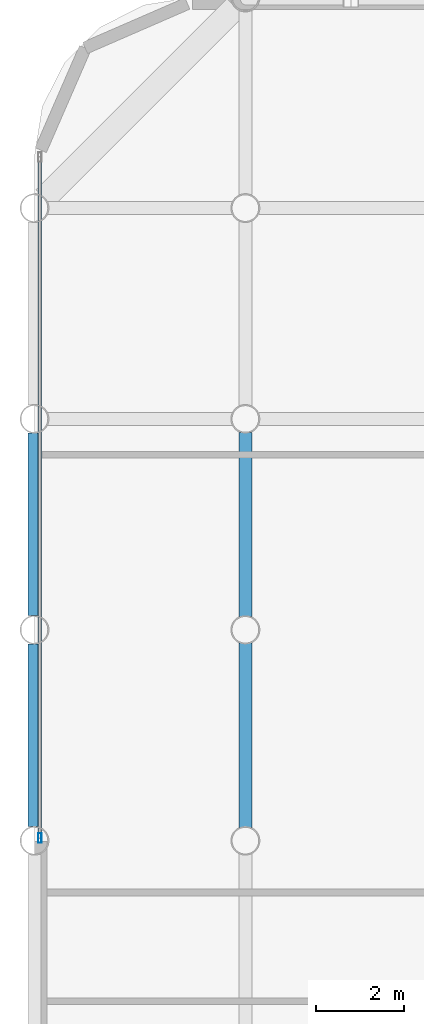
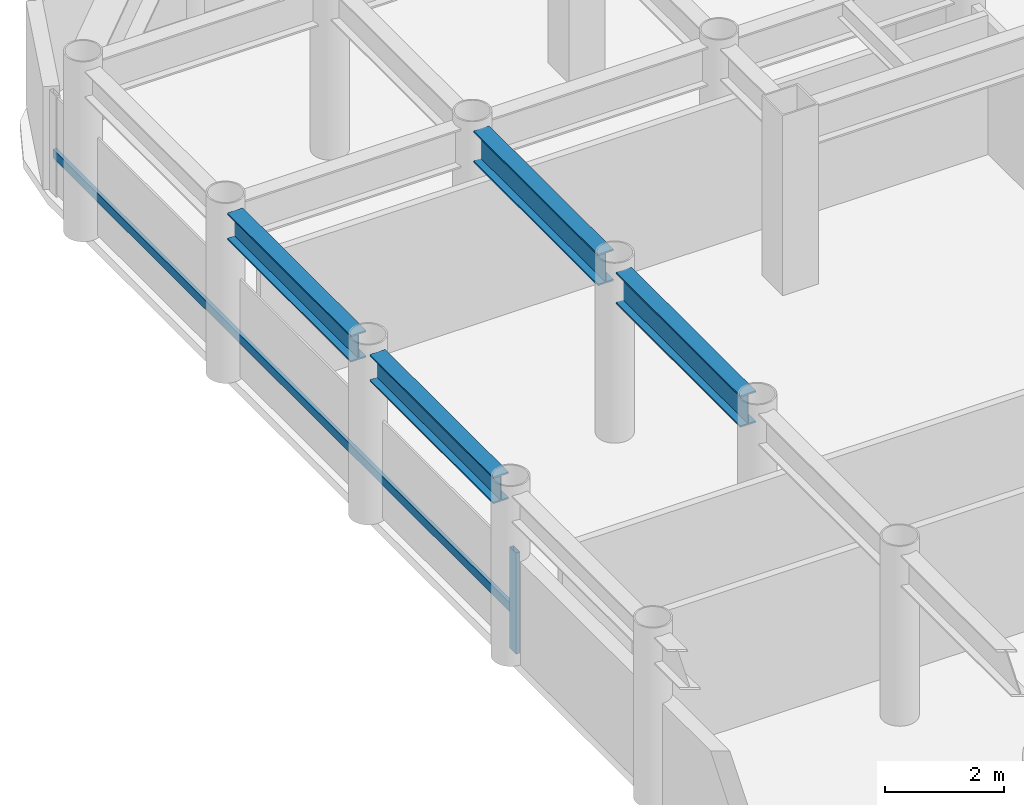
# One storey, part 4 of 20: 4 beams, 2 members, 1 element without a shape of its own.
"""IFC4 building model written with IfcOpenShell, lengths in metres."""

from ifc_helpers import new_model, si_unit, direction, frame, origin, origin_2d, place, context, subcontext, project, spatial, hollow_rectangle, i_section, extrude, material, layer, layer_set, material_profile, profile_set, type_object, element, aggregate, save


model = new_model("IFC4")

# Units and contexts
model_context = context("Model", 3, precision=1e-05, world=origin(), true_north=direction((0.0, 1.0)))
body_context = subcontext(model_context, "Body", "Model", "MODEL_VIEW")
ifc_project = project(units=[si_unit("LENGTHUNIT", "METRE"), si_unit("AREAUNIT", "SQUARE_METRE"), si_unit("VOLUMEUNIT", "CUBIC_METRE"), si_unit("PLANEANGLEUNIT", "RADIAN"), si_unit("MASSUNIT", "GRAM", prefix="KILO")], contexts=[model_context])

# Site, building, storey
site_placement = place(None, origin())
site = spatial("IfcSite", under=ifc_project, at=site_placement, CompositionType="ELEMENT")
building_placement = place(site_placement, origin())
building = spatial("IfcBuilding", under=site, at=building_placement, Name="Kallvorn Hotel Tower", CompositionType="ELEMENT")
storey_placement = place(building_placement, frame((0.0, 0.0, 172.89990234375)))
storey = spatial("IfcBuildingStorey", under=building, at=storey_placement, Name="L43", CompositionType="ELEMENT", Elevation=172.89990234375)

# Beams
ifc_material_1 = material(Name="Structural steel S355JR", Category="steel")
ifc_material_profile_1 = material_profile(ifc_material_1, i_section(OverallWidth=0.300048828125, OverallDepth=0.550048828125, WebThickness=0.014892578125, FlangeThickness=0.029052734375, at=origin_2d()), Name="HE 550 B")
ifc_profile_set_1 = profile_set([ifc_material_profile_1], Name="Structural steel S355JR")
beam_type_1 = type_object("IfcBeamType", Name="BM_HE550B", PredefinedType="SPANDREL", material=ifc_profile_set_1)
for number, where, z_axis, x_axis, name in (
    (1, (-33.60009765625, 0.320068359375, 3.2451171875), (0.0, 1.0, 0.0), (-1.0, 0.0, 0.0), "L44 Perimeter Spandrel 178"),
    (2, (-33.60009765625, 5.1201171875, 3.2451171875), (0.0, 1.0, 0.0), (-1.0, 0.0, 0.0), "L44 Perimeter Spandrel 179"),
):
    element("IfcBeam", number, at=place(storey_placement, frame(where, z_axis=z_axis, x_axis=x_axis)), inside=storey, type_object=beam_type_1, Name=name, PredefinedType="SPANDREL", context=body_context, shape_type="SweptSolid", body=[
        extrude(i_section(OverallWidth=0.300048828125, OverallDepth=0.550048828125, WebThickness=0.014892578125, FlangeThickness=0.029052734375, at=origin_2d()), origin(), (0.0, 0.0, 1.0), 4.159912109375),
    ])
ifc_material_2 = material(Name="Structural steel S355JR", Category="steel")
ifc_material_profile_2 = material_profile(ifc_material_2, i_section(OverallWidth=0.300048828125, OverallDepth=0.64990234375, WebThickness=0.01611328125, FlangeThickness=0.031005859375, at=origin_2d()), Name="HE 650 B")
ifc_profile_set_2 = profile_set([ifc_material_profile_2], Name="Structural steel S355JR")
beam_type_2 = type_object("IfcBeamType", Name="BM_HE650B", PredefinedType="BEAM", material=ifc_profile_set_2)
beam_1_placement = place(storey_placement, frame((-28.800048828125, 0.304931640625, 3.195068359375), z_axis=(0.0, 1.0, 0.0), x_axis=(-1.0, 0.0, 0.0)))
element("IfcBeam", 3, at=beam_1_placement, inside=storey, type_object=beam_type_2, Name="L44 Primary Y-Girder 78", PredefinedType="BEAM", context=body_context, shape_type="SweptSolid", body=[
    extrude(i_section(OverallWidth=0.300048828125, OverallDepth=0.64990234375, WebThickness=0.01611328125, FlangeThickness=0.031005859375, at=origin_2d()), origin(), (0.0, 0.0, 1.0), 4.190185546875),
])
beam_2_placement = place(storey_placement, frame((-28.800048828125, 5.10498046875, 3.195068359375), z_axis=(0.0, 1.0, 0.0), x_axis=(-1.0, 0.0, 0.0)))
element("IfcBeam", 4, at=beam_2_placement, inside=storey, type_object=beam_type_2, Name="L44 Primary Y-Girder 79", PredefinedType="BEAM", context=body_context, shape_type="SweptSolid", body=[
    extrude(i_section(OverallWidth=0.300048828125, OverallDepth=0.64990234375, WebThickness=0.01611328125, FlangeThickness=0.031005859375, at=origin_2d()), origin(), (0.0, 0.0, 1.0), 4.18994140625),
])

# Curtain wall, members
ifc_material_3 = material(Name="Thermally broken black-anodised aluminium AA 6063-T6", Category="aluminium")
ifc_layer = layer(ifc_material_3, 0.2099609375)
ifc_layer_set = layer_set([ifc_layer], Name="CW_SYS_4_HOTEL_MID")
curtain_wall_type = type_object("IfcCurtainWallType", Name="CW_SYS_4_HOTEL_MID", PredefinedType="USERDEFINED", material=ifc_layer_set)
curtain_wall_placement = place(storey_placement, origin())
curtain_wall = element("IfcCurtainWall", 5, at=curtain_wall_placement, inside=storey, type_object=curtain_wall_type, Name="L43 Dark-Glass Curtain Wall CW-L43-WN", ObjectType="UNITISED CURTAIN WALL", PredefinedType="USERDEFINED")
ifc_material_4 = material(Name="Thermally broken black-anodised aluminium AA 6063-T6", Category="aluminium")
ifc_material_profile_3 = material_profile(ifc_material_4, hollow_rectangle(XDim=0.080078125, YDim=0.219970703125, WallThickness=0.0048828125, at=origin_2d()), Name="MUL 220x80")
ifc_profile_set_3 = profile_set([ifc_material_profile_3], Name="Thermally broken black-anodised aluminium AA 6063-T6")
member_type_1 = type_object("IfcMemberType", Name="CW_MULLION_220x80", PredefinedType="MULLION", material=ifc_profile_set_3)
member_1_placement = place(storey_placement, frame((-33.47998046875, 0.06005859375, 0.02001953125), z_axis=(0.0, 0.0, 1.0), x_axis=(1.0, 0.0, 0.0)))
member_1 = element("IfcMember", 6, at=member_1_placement, type_object=member_type_1, Name="CW-L43-WN Mullion 00", PredefinedType="MULLION", context=body_context, shape_type="SweptSolid", body=[
    extrude(hollow_rectangle(XDim=0.080078125, YDim=0.219970703125, WallThickness=0.0048828125, at=origin_2d()), origin(), (0.0, 0.0, 1.0), 2.080078125),
])
ifc_material_5 = material(Name="Thermally broken black-anodised aluminium AA 6063-T6", Category="aluminium")
ifc_material_profile_4 = material_profile(ifc_material_5, hollow_rectangle(XDim=0.070068359375, YDim=0.179931640625, WallThickness=0.00390625, at=origin_2d()), Name="TRN 180x70")
ifc_profile_set_4 = profile_set([ifc_material_profile_4], Name="Thermally broken black-anodised aluminium AA 6063-T6")
member_type_2 = type_object("IfcMemberType", Name="CW_TRANSOM_180x70", PredefinedType="USERDEFINED", material=ifc_profile_set_4)
member_2_placement = place(storey_placement, frame((-33.47998046875, 0.06005859375, 0.85009765625), z_axis=(0.0, 1.0, 0.0), x_axis=(-1.0, 0.0, 0.0)))
member_2 = element("IfcMember", 7, at=member_2_placement, type_object=member_type_2, Name="CW-L43-WN Transom 00M", ObjectType="TRANSOM", PredefinedType="USERDEFINED", context=body_context, shape_type="SweptSolid", body=[
    extrude(hollow_rectangle(XDim=0.070068359375, YDim=0.179931640625, WallThickness=0.00390625, at=origin_2d()), origin(), (0.0, 0.0, 1.0), 15.5),
])
aggregate(curtain_wall, [member_1, member_2])

save(model, "model.ifc")
